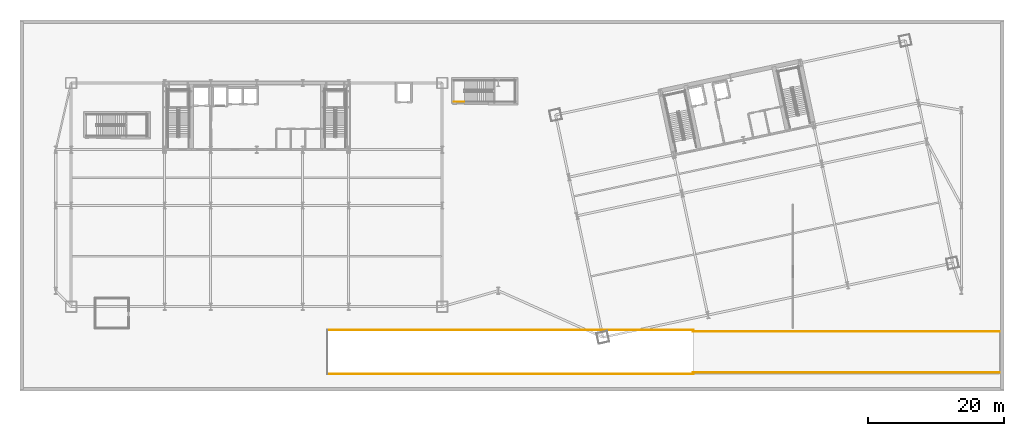
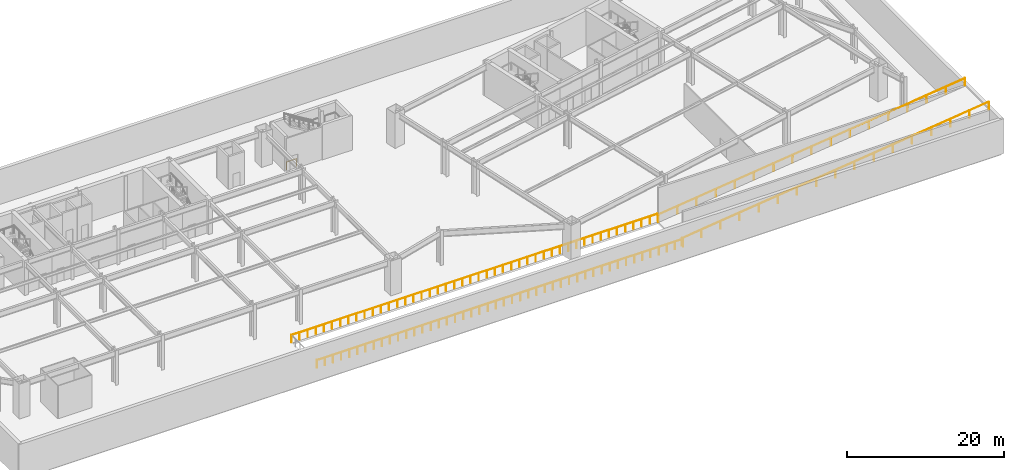
# One storey, part 14 of 16: 5 railings.
"""IFC4 building model written with IfcOpenShell, lengths in metres."""

from ifc_helpers import new_model, si_unit, direction, frame, origin, origin_2d, place, context, subcontext, project, spatial, rectangle, extrude, material, type_object, element, save


model = new_model("IFC4")

# Units and contexts
model_context = context("Model", 3, precision=1e-05, world=origin(), true_north=direction((0.0, 1.0)))
body_context = subcontext(model_context, "Body", "Model", "MODEL_VIEW")
ifc_project = project(units=[si_unit("LENGTHUNIT", "METRE"), si_unit("AREAUNIT", "SQUARE_METRE"), si_unit("VOLUMEUNIT", "CUBIC_METRE"), si_unit("PLANEANGLEUNIT", "RADIAN"), si_unit("MASSUNIT", "GRAM", prefix="KILO")], contexts=[model_context])

# Site, building, storey
site_placement = place(None, origin())
site = spatial("IfcSite", under=ifc_project, at=site_placement, CompositionType="ELEMENT")
building_placement = place(site_placement, origin())
building = spatial("IfcBuilding", under=site, at=building_placement, Name="Haevon Station Towers", CompositionType="ELEMENT")
storey_placement = place(building_placement, frame((0.0, 0.0, -5.39990234375)))
storey = spatial("IfcBuildingStorey", under=building, at=storey_placement, Name="B01", CompositionType="ELEMENT", Elevation=-5.39990234375)

# Railings
ifc_material = material(Name="Steel S355", Category="steel")
railing_type_1 = type_object("IfcRailingType", Name="BAL-ATR1200", PredefinedType="BALUSTRADE", material=ifc_material)
railing_1_placement = place(storey_placement, frame((47.8798828125, 11.719970703125, 0.0)))
element("IfcRailing", 1, at=railing_1_placement, inside=storey, type_object=railing_type_1, Name="B01 Vehicle Ramp North Guardrail", PredefinedType="BALUSTRADE", context=body_context, shape_type="SweptSolid", body=[
    extrude(rectangle(XDim=0.048095703125, YDim=0.048095703125, at=origin_2d()), frame((0.0, 0.0, 1.17578125), z_axis=(1.0, 0.0, 0.0), x_axis=(0.0, 1.0, 0.0)), (0.0, 0.0, 1.0), 53.77001953125),
    extrude(rectangle(XDim=0.0419921875, YDim=0.0419921875, at=origin_2d()), origin(), (0.0, 0.0, 1.0), 1.15185546875),
    extrude(rectangle(XDim=0.0419921875, YDim=0.0419921875, at=origin_2d()), frame((1.19482421875, 0.0, 0.0)), (0.0, 0.0, 1.0), 1.15185546875),
    extrude(rectangle(XDim=0.0419921875, YDim=0.0419921875, at=origin_2d()), frame((2.389892578125, 0.0, 0.0)), (0.0, 0.0, 1.0), 1.15185546875),
    extrude(rectangle(XDim=0.0419921875, YDim=0.0419921875, at=origin_2d()), frame((3.584716796875, 0.0, 0.0)), (0.0, 0.0, 1.0), 1.15185546875),
    extrude(rectangle(XDim=0.0419921875, YDim=0.0419921875, at=origin_2d()), frame((4.779541015625, 0.0, 0.0)), (0.0, 0.0, 1.0), 1.15185546875),
    extrude(rectangle(XDim=0.0419921875, YDim=0.0419921875, at=origin_2d()), frame((5.974365234375, 0.0, 0.0)), (0.0, 0.0, 1.0), 1.15185546875),
    extrude(rectangle(XDim=0.0419921875, YDim=0.0419921875, at=origin_2d()), frame((7.16943359375, 0.0, 0.0)), (0.0, 0.0, 1.0), 1.15185546875),
    extrude(rectangle(XDim=0.0419921875, YDim=0.0419921875, at=origin_2d()), frame((8.3642578125, 0.0, 0.0)), (0.0, 0.0, 1.0), 1.15185546875),
    extrude(rectangle(XDim=0.0419921875, YDim=0.0419921875, at=origin_2d()), frame((9.55908203125, 0.0, 0.0)), (0.0, 0.0, 1.0), 1.15185546875),
    extrude(rectangle(XDim=0.0419921875, YDim=0.0419921875, at=origin_2d()), frame((10.75390625, 0.0, 0.0)), (0.0, 0.0, 1.0), 1.15185546875),
    extrude(rectangle(XDim=0.0419921875, YDim=0.0419921875, at=origin_2d()), frame((11.948974609375, 0.0, 0.0)), (0.0, 0.0, 1.0), 1.15185546875),
    extrude(rectangle(XDim=0.0419921875, YDim=0.0419921875, at=origin_2d()), frame((13.143798828125, 0.0, 0.0)), (0.0, 0.0, 1.0), 1.15185546875),
    extrude(rectangle(XDim=0.0419921875, YDim=0.0419921875, at=origin_2d()), frame((14.338623046875, 0.0, 0.0)), (0.0, 0.0, 1.0), 1.15185546875),
    extrude(rectangle(XDim=0.0419921875, YDim=0.0419921875, at=origin_2d()), frame((15.533447265625, 0.0, 0.0)), (0.0, 0.0, 1.0), 1.15185546875),
    extrude(rectangle(XDim=0.0419921875, YDim=0.0419921875, at=origin_2d()), frame((16.728515625, 0.0, 0.0)), (0.0, 0.0, 1.0), 1.15185546875),
    extrude(rectangle(XDim=0.0419921875, YDim=0.0419921875, at=origin_2d()), frame((17.92333984375, 0.0, 0.0)), (0.0, 0.0, 1.0), 1.15185546875),
    extrude(rectangle(XDim=0.0419921875, YDim=0.0419921875, at=origin_2d()), frame((19.1181640625, 0.0, 0.0)), (0.0, 0.0, 1.0), 1.15185546875),
    extrude(rectangle(XDim=0.0419921875, YDim=0.0419921875, at=origin_2d()), frame((20.313232421875, 0.0, 0.0)), (0.0, 0.0, 1.0), 1.15185546875),
    extrude(rectangle(XDim=0.0419921875, YDim=0.0419921875, at=origin_2d()), frame((21.508056640625, 0.0, 0.0)), (0.0, 0.0, 1.0), 1.15185546875),
    extrude(rectangle(XDim=0.0419921875, YDim=0.0419921875, at=origin_2d()), frame((22.702880859375, 0.0, 0.0)), (0.0, 0.0, 1.0), 1.15185546875),
    extrude(rectangle(XDim=0.0419921875, YDim=0.0419921875, at=origin_2d()), frame((23.897705078125, 0.0, 0.0)), (0.0, 0.0, 1.0), 1.15185546875),
    extrude(rectangle(XDim=0.0419921875, YDim=0.0419921875, at=origin_2d()), frame((25.0927734375, 0.0, 0.0)), (0.0, 0.0, 1.0), 1.15185546875),
    extrude(rectangle(XDim=0.0419921875, YDim=0.0419921875, at=origin_2d()), frame((26.28759765625, 0.0, 0.0)), (0.0, 0.0, 1.0), 1.15185546875),
    extrude(rectangle(XDim=0.0419921875, YDim=0.0419921875, at=origin_2d()), frame((27.482421875, 0.0, 0.0)), (0.0, 0.0, 1.0), 1.15185546875),
    extrude(rectangle(XDim=0.0419921875, YDim=0.0419921875, at=origin_2d()), frame((28.67724609375, 0.0, 0.0)), (0.0, 0.0, 1.0), 1.15185546875),
    extrude(rectangle(XDim=0.0419921875, YDim=0.0419921875, at=origin_2d()), frame((29.872314453125, 0.0, 0.0)), (0.0, 0.0, 1.0), 1.15185546875),
    extrude(rectangle(XDim=0.0419921875, YDim=0.0419921875, at=origin_2d()), frame((31.067138671875, 0.0, 0.0)), (0.0, 0.0, 1.0), 1.15185546875),
    extrude(rectangle(XDim=0.0419921875, YDim=0.0419921875, at=origin_2d()), frame((32.261962890625, 0.0, 0.0)), (0.0, 0.0, 1.0), 1.15185546875),
    extrude(rectangle(XDim=0.0419921875, YDim=0.0419921875, at=origin_2d()), frame((33.456787109375, 0.0, 0.0)), (0.0, 0.0, 1.0), 1.15185546875),
    extrude(rectangle(XDim=0.0419921875, YDim=0.0419921875, at=origin_2d()), frame((34.65185546875, 0.0, 0.0)), (0.0, 0.0, 1.0), 1.15185546875),
    extrude(rectangle(XDim=0.0419921875, YDim=0.0419921875, at=origin_2d()), frame((35.8466796875, 0.0, 0.0)), (0.0, 0.0, 1.0), 1.15185546875),
    extrude(rectangle(XDim=0.0419921875, YDim=0.0419921875, at=origin_2d()), frame((37.04150390625, 0.0, 0.0)), (0.0, 0.0, 1.0), 1.15185546875),
    extrude(rectangle(XDim=0.0419921875, YDim=0.0419921875, at=origin_2d()), frame((38.236572265625, 0.0, 0.0)), (0.0, 0.0, 1.0), 1.15185546875),
    extrude(rectangle(XDim=0.0419921875, YDim=0.0419921875, at=origin_2d()), frame((39.431396484375, 0.0, 0.0)), (0.0, 0.0, 1.0), 1.15185546875),
    extrude(rectangle(XDim=0.0419921875, YDim=0.0419921875, at=origin_2d()), frame((40.626220703125, 0.0, 0.0)), (0.0, 0.0, 1.0), 1.15185546875),
    extrude(rectangle(XDim=0.0419921875, YDim=0.0419921875, at=origin_2d()), frame((41.821044921875, 0.0, 0.0)), (0.0, 0.0, 1.0), 1.15185546875),
    extrude(rectangle(XDim=0.0419921875, YDim=0.0419921875, at=origin_2d()), frame((43.01611328125, 0.0, 0.0)), (0.0, 0.0, 1.0), 1.15185546875),
    extrude(rectangle(XDim=0.0419921875, YDim=0.0419921875, at=origin_2d()), frame((44.2109375, 0.0, 0.0)), (0.0, 0.0, 1.0), 1.15185546875),
    extrude(rectangle(XDim=0.0419921875, YDim=0.0419921875, at=origin_2d()), frame((45.40576171875, 0.0, 0.0)), (0.0, 0.0, 1.0), 1.15185546875),
    extrude(rectangle(XDim=0.0419921875, YDim=0.0419921875, at=origin_2d()), frame((46.6005859375, 0.0, 0.0)), (0.0, 0.0, 1.0), 1.15185546875),
    extrude(rectangle(XDim=0.0419921875, YDim=0.0419921875, at=origin_2d()), frame((47.795654296875, 0.0, 0.0)), (0.0, 0.0, 1.0), 1.15185546875),
    extrude(rectangle(XDim=0.0419921875, YDim=0.0419921875, at=origin_2d()), frame((48.990478515625, 0.0, 0.0)), (0.0, 0.0, 1.0), 1.15185546875),
    extrude(rectangle(XDim=0.0419921875, YDim=0.0419921875, at=origin_2d()), frame((50.185302734375, 0.0, 0.0)), (0.0, 0.0, 1.0), 1.15185546875),
    extrude(rectangle(XDim=0.0419921875, YDim=0.0419921875, at=origin_2d()), frame((51.380126953125, 0.0, 0.0)), (0.0, 0.0, 1.0), 1.15185546875),
    extrude(rectangle(XDim=0.0419921875, YDim=0.0419921875, at=origin_2d()), frame((52.5751953125, 0.0, 0.0)), (0.0, 0.0, 1.0), 1.15185546875),
    extrude(rectangle(XDim=0.0419921875, YDim=0.0419921875, at=origin_2d()), frame((53.77001953125, 0.0, 0.0)), (0.0, 0.0, 1.0), 1.15185546875),
])
railing_2_placement = place(storey_placement, frame((47.8798828125, 5.280029296875, 0.0)))
element("IfcRailing", 2, at=railing_2_placement, inside=storey, type_object=railing_type_1, Name="B01 Vehicle Ramp South Guardrail", PredefinedType="BALUSTRADE", context=body_context, shape_type="SweptSolid", body=[
    extrude(rectangle(XDim=0.048095703125, YDim=0.048095703125, at=origin_2d()), frame((0.0, 0.0, 1.17578125), z_axis=(1.0, 0.0, 0.0), x_axis=(0.0, 1.0, 0.0)), (0.0, 0.0, 1.0), 53.77001953125),
    extrude(rectangle(XDim=0.0419921875, YDim=0.0419921875, at=origin_2d()), origin(), (0.0, 0.0, 1.0), 1.15185546875),
    extrude(rectangle(XDim=0.0419921875, YDim=0.0419921875, at=origin_2d()), frame((1.19482421875, 0.0, 0.0)), (0.0, 0.0, 1.0), 1.15185546875),
    extrude(rectangle(XDim=0.0419921875, YDim=0.0419921875, at=origin_2d()), frame((2.389892578125, 0.0, 0.0)), (0.0, 0.0, 1.0), 1.15185546875),
    extrude(rectangle(XDim=0.0419921875, YDim=0.0419921875, at=origin_2d()), frame((3.584716796875, 0.0, 0.0)), (0.0, 0.0, 1.0), 1.15185546875),
    extrude(rectangle(XDim=0.0419921875, YDim=0.0419921875, at=origin_2d()), frame((4.779541015625, 0.0, 0.0)), (0.0, 0.0, 1.0), 1.15185546875),
    extrude(rectangle(XDim=0.0419921875, YDim=0.0419921875, at=origin_2d()), frame((5.974365234375, 0.0, 0.0)), (0.0, 0.0, 1.0), 1.15185546875),
    extrude(rectangle(XDim=0.0419921875, YDim=0.0419921875, at=origin_2d()), frame((7.16943359375, 0.0, 0.0)), (0.0, 0.0, 1.0), 1.15185546875),
    extrude(rectangle(XDim=0.0419921875, YDim=0.0419921875, at=origin_2d()), frame((8.3642578125, 0.0, 0.0)), (0.0, 0.0, 1.0), 1.15185546875),
    extrude(rectangle(XDim=0.0419921875, YDim=0.0419921875, at=origin_2d()), frame((9.55908203125, 0.0, 0.0)), (0.0, 0.0, 1.0), 1.15185546875),
    extrude(rectangle(XDim=0.0419921875, YDim=0.0419921875, at=origin_2d()), frame((10.75390625, 0.0, 0.0)), (0.0, 0.0, 1.0), 1.15185546875),
    extrude(rectangle(XDim=0.0419921875, YDim=0.0419921875, at=origin_2d()), frame((11.948974609375, 0.0, 0.0)), (0.0, 0.0, 1.0), 1.15185546875),
    extrude(rectangle(XDim=0.0419921875, YDim=0.0419921875, at=origin_2d()), frame((13.143798828125, 0.0, 0.0)), (0.0, 0.0, 1.0), 1.15185546875),
    extrude(rectangle(XDim=0.0419921875, YDim=0.0419921875, at=origin_2d()), frame((14.338623046875, 0.0, 0.0)), (0.0, 0.0, 1.0), 1.15185546875),
    extrude(rectangle(XDim=0.0419921875, YDim=0.0419921875, at=origin_2d()), frame((15.533447265625, 0.0, 0.0)), (0.0, 0.0, 1.0), 1.15185546875),
    extrude(rectangle(XDim=0.0419921875, YDim=0.0419921875, at=origin_2d()), frame((16.728515625, 0.0, 0.0)), (0.0, 0.0, 1.0), 1.15185546875),
    extrude(rectangle(XDim=0.0419921875, YDim=0.0419921875, at=origin_2d()), frame((17.92333984375, 0.0, 0.0)), (0.0, 0.0, 1.0), 1.15185546875),
    extrude(rectangle(XDim=0.0419921875, YDim=0.0419921875, at=origin_2d()), frame((19.1181640625, 0.0, 0.0)), (0.0, 0.0, 1.0), 1.15185546875),
    extrude(rectangle(XDim=0.0419921875, YDim=0.0419921875, at=origin_2d()), frame((20.313232421875, 0.0, 0.0)), (0.0, 0.0, 1.0), 1.15185546875),
    extrude(rectangle(XDim=0.0419921875, YDim=0.0419921875, at=origin_2d()), frame((21.508056640625, 0.0, 0.0)), (0.0, 0.0, 1.0), 1.15185546875),
    extrude(rectangle(XDim=0.0419921875, YDim=0.0419921875, at=origin_2d()), frame((22.702880859375, 0.0, 0.0)), (0.0, 0.0, 1.0), 1.15185546875),
    extrude(rectangle(XDim=0.0419921875, YDim=0.0419921875, at=origin_2d()), frame((23.897705078125, 0.0, 0.0)), (0.0, 0.0, 1.0), 1.15185546875),
    extrude(rectangle(XDim=0.0419921875, YDim=0.0419921875, at=origin_2d()), frame((25.0927734375, 0.0, 0.0)), (0.0, 0.0, 1.0), 1.15185546875),
    extrude(rectangle(XDim=0.0419921875, YDim=0.0419921875, at=origin_2d()), frame((26.28759765625, 0.0, 0.0)), (0.0, 0.0, 1.0), 1.15185546875),
    extrude(rectangle(XDim=0.0419921875, YDim=0.0419921875, at=origin_2d()), frame((27.482421875, 0.0, 0.0)), (0.0, 0.0, 1.0), 1.15185546875),
    extrude(rectangle(XDim=0.0419921875, YDim=0.0419921875, at=origin_2d()), frame((28.67724609375, 0.0, 0.0)), (0.0, 0.0, 1.0), 1.15185546875),
    extrude(rectangle(XDim=0.0419921875, YDim=0.0419921875, at=origin_2d()), frame((29.872314453125, 0.0, 0.0)), (0.0, 0.0, 1.0), 1.15185546875),
    extrude(rectangle(XDim=0.0419921875, YDim=0.0419921875, at=origin_2d()), frame((31.067138671875, 0.0, 0.0)), (0.0, 0.0, 1.0), 1.15185546875),
    extrude(rectangle(XDim=0.0419921875, YDim=0.0419921875, at=origin_2d()), frame((32.261962890625, 0.0, 0.0)), (0.0, 0.0, 1.0), 1.15185546875),
    extrude(rectangle(XDim=0.0419921875, YDim=0.0419921875, at=origin_2d()), frame((33.456787109375, 0.0, 0.0)), (0.0, 0.0, 1.0), 1.15185546875),
    extrude(rectangle(XDim=0.0419921875, YDim=0.0419921875, at=origin_2d()), frame((34.65185546875, 0.0, 0.0)), (0.0, 0.0, 1.0), 1.15185546875),
    extrude(rectangle(XDim=0.0419921875, YDim=0.0419921875, at=origin_2d()), frame((35.8466796875, 0.0, 0.0)), (0.0, 0.0, 1.0), 1.15185546875),
    extrude(rectangle(XDim=0.0419921875, YDim=0.0419921875, at=origin_2d()), frame((37.04150390625, 0.0, 0.0)), (0.0, 0.0, 1.0), 1.15185546875),
    extrude(rectangle(XDim=0.0419921875, YDim=0.0419921875, at=origin_2d()), frame((38.236572265625, 0.0, 0.0)), (0.0, 0.0, 1.0), 1.15185546875),
    extrude(rectangle(XDim=0.0419921875, YDim=0.0419921875, at=origin_2d()), frame((39.431396484375, 0.0, 0.0)), (0.0, 0.0, 1.0), 1.15185546875),
    extrude(rectangle(XDim=0.0419921875, YDim=0.0419921875, at=origin_2d()), frame((40.626220703125, 0.0, 0.0)), (0.0, 0.0, 1.0), 1.15185546875),
    extrude(rectangle(XDim=0.0419921875, YDim=0.0419921875, at=origin_2d()), frame((41.821044921875, 0.0, 0.0)), (0.0, 0.0, 1.0), 1.15185546875),
    extrude(rectangle(XDim=0.0419921875, YDim=0.0419921875, at=origin_2d()), frame((43.01611328125, 0.0, 0.0)), (0.0, 0.0, 1.0), 1.15185546875),
    extrude(rectangle(XDim=0.0419921875, YDim=0.0419921875, at=origin_2d()), frame((44.2109375, 0.0, 0.0)), (0.0, 0.0, 1.0), 1.15185546875),
    extrude(rectangle(XDim=0.0419921875, YDim=0.0419921875, at=origin_2d()), frame((45.40576171875, 0.0, 0.0)), (0.0, 0.0, 1.0), 1.15185546875),
    extrude(rectangle(XDim=0.0419921875, YDim=0.0419921875, at=origin_2d()), frame((46.6005859375, 0.0, 0.0)), (0.0, 0.0, 1.0), 1.15185546875),
    extrude(rectangle(XDim=0.0419921875, YDim=0.0419921875, at=origin_2d()), frame((47.795654296875, 0.0, 0.0)), (0.0, 0.0, 1.0), 1.15185546875),
    extrude(rectangle(XDim=0.0419921875, YDim=0.0419921875, at=origin_2d()), frame((48.990478515625, 0.0, 0.0)), (0.0, 0.0, 1.0), 1.15185546875),
    extrude(rectangle(XDim=0.0419921875, YDim=0.0419921875, at=origin_2d()), frame((50.185302734375, 0.0, 0.0)), (0.0, 0.0, 1.0), 1.15185546875),
    extrude(rectangle(XDim=0.0419921875, YDim=0.0419921875, at=origin_2d()), frame((51.380126953125, 0.0, 0.0)), (0.0, 0.0, 1.0), 1.15185546875),
    extrude(rectangle(XDim=0.0419921875, YDim=0.0419921875, at=origin_2d()), frame((52.5751953125, 0.0, 0.0)), (0.0, 0.0, 1.0), 1.15185546875),
    extrude(rectangle(XDim=0.0419921875, YDim=0.0419921875, at=origin_2d()), frame((53.77001953125, 0.0, 0.0)), (0.0, 0.0, 1.0), 1.15185546875),
])
railing_3_placement = place(storey_placement, frame((101.60009765625, 5.47998046875, 0.0)))
element("IfcRailing", 3, at=railing_3_placement, inside=storey, type_object=railing_type_1, Name="B01 Vehicle Ramp Flight 2 S Guardrail", PredefinedType="BALUSTRADE", context=body_context, shape_type="SweptSolid", body=[
    extrude(rectangle(XDim=0.048095703125, YDim=0.048095703125, at=origin_2d()), frame((0.0, 0.0, 1.17578125), z_axis=(0.992877093376, 0.0, 0.119143096524), x_axis=(0.0, 1.0, 0.0)), (0.0, 0.0, 1.0), 45.32275390625),
    extrude(rectangle(XDim=0.0419921875, YDim=0.0419921875, at=origin_2d()), origin(), (0.0, 0.0, 1.0), 1.15185546875),
    extrude(rectangle(XDim=0.0419921875, YDim=0.0419921875, at=origin_2d()), frame((2.8125, 0.0, 0.33740234375)), (0.0, 0.0, 1.0), 1.15185546875),
    extrude(rectangle(XDim=0.0419921875, YDim=0.0419921875, at=origin_2d()), frame((5.625, 0.0, 0.675048828125)), (0.0, 0.0, 1.0), 1.15185546875),
    extrude(rectangle(XDim=0.0419921875, YDim=0.0419921875, at=origin_2d()), frame((8.4375, 0.0, 1.012451171875)), (0.0, 0.0, 1.0), 1.15185546875),
    extrude(rectangle(XDim=0.0419921875, YDim=0.0419921875, at=origin_2d()), frame((11.25, 0.0, 1.35009765625)), (0.0, 0.0, 1.0), 1.15185546875),
    extrude(rectangle(XDim=0.0419921875, YDim=0.0419921875, at=origin_2d()), frame((14.0625, 0.0, 1.6875)), (0.0, 0.0, 1.0), 1.15185546875),
    extrude(rectangle(XDim=0.0419921875, YDim=0.0419921875, at=origin_2d()), frame((16.875, 0.0, 2.02490234375)), (0.0, 0.0, 1.0), 1.15185546875),
    extrude(rectangle(XDim=0.0419921875, YDim=0.0419921875, at=origin_2d()), frame((19.6875, 0.0, 2.362548828125)), (0.0, 0.0, 1.0), 1.15185546875),
    extrude(rectangle(XDim=0.0419921875, YDim=0.0419921875, at=origin_2d()), frame((22.5, 0.0, 2.699951171875)), (0.0, 0.0, 1.0), 1.15185546875),
    extrude(rectangle(XDim=0.0419921875, YDim=0.0419921875, at=origin_2d()), frame((25.3125, 0.0, 3.037353515625)), (0.0, 0.0, 1.0), 1.15185546875),
    extrude(rectangle(XDim=0.0419921875, YDim=0.0419921875, at=origin_2d()), frame((28.125, 0.0, 3.375)), (0.0, 0.0, 1.0), 1.15185546875),
    extrude(rectangle(XDim=0.0419921875, YDim=0.0419921875, at=origin_2d()), frame((30.9375, 0.0, 3.71240234375)), (0.0, 0.0, 1.0), 1.15185546875),
    extrude(rectangle(XDim=0.0419921875, YDim=0.0419921875, at=origin_2d()), frame((33.75, 0.0, 4.0498046875)), (0.0, 0.0, 1.0), 1.15185546875),
    extrude(rectangle(XDim=0.0419921875, YDim=0.0419921875, at=origin_2d()), frame((36.5625, 0.0, 4.387451171875)), (0.0, 0.0, 1.0), 1.15185546875),
    extrude(rectangle(XDim=0.0419921875, YDim=0.0419921875, at=origin_2d()), frame((39.375, 0.0, 4.724853515625)), (0.0, 0.0, 1.0), 1.15185546875),
    extrude(rectangle(XDim=0.0419921875, YDim=0.0419921875, at=origin_2d()), frame((42.1875, 0.0, 5.0625)), (0.0, 0.0, 1.0), 1.15185546875),
    extrude(rectangle(XDim=0.0419921875, YDim=0.0419921875, at=origin_2d()), frame((45.0, 0.0, 5.39990234375)), (0.0, 0.0, 1.0), 1.15185546875),
])
railing_4_placement = place(storey_placement, frame((101.60009765625, 11.52001953125, 0.0)))
element("IfcRailing", 4, at=railing_4_placement, inside=storey, type_object=railing_type_1, Name="B01 Vehicle Ramp Flight 2 N Guardrail", PredefinedType="BALUSTRADE", context=body_context, shape_type="SweptSolid", body=[
    extrude(rectangle(XDim=0.048095703125, YDim=0.048095703125, at=origin_2d()), frame((0.0, 0.0, 1.17578125), z_axis=(0.992877093376, 0.0, 0.119143096524), x_axis=(0.0, 1.0, 0.0)), (0.0, 0.0, 1.0), 45.32275390625),
    extrude(rectangle(XDim=0.0419921875, YDim=0.0419921875, at=origin_2d()), origin(), (0.0, 0.0, 1.0), 1.15185546875),
    extrude(rectangle(XDim=0.0419921875, YDim=0.0419921875, at=origin_2d()), frame((2.8125, 0.0, 0.33740234375)), (0.0, 0.0, 1.0), 1.15185546875),
    extrude(rectangle(XDim=0.0419921875, YDim=0.0419921875, at=origin_2d()), frame((5.625, 0.0, 0.675048828125)), (0.0, 0.0, 1.0), 1.15185546875),
    extrude(rectangle(XDim=0.0419921875, YDim=0.0419921875, at=origin_2d()), frame((8.4375, 0.0, 1.012451171875)), (0.0, 0.0, 1.0), 1.15185546875),
    extrude(rectangle(XDim=0.0419921875, YDim=0.0419921875, at=origin_2d()), frame((11.25, 0.0, 1.35009765625)), (0.0, 0.0, 1.0), 1.15185546875),
    extrude(rectangle(XDim=0.0419921875, YDim=0.0419921875, at=origin_2d()), frame((14.0625, 0.0, 1.6875)), (0.0, 0.0, 1.0), 1.15185546875),
    extrude(rectangle(XDim=0.0419921875, YDim=0.0419921875, at=origin_2d()), frame((16.875, 0.0, 2.02490234375)), (0.0, 0.0, 1.0), 1.15185546875),
    extrude(rectangle(XDim=0.0419921875, YDim=0.0419921875, at=origin_2d()), frame((19.6875, 0.0, 2.362548828125)), (0.0, 0.0, 1.0), 1.15185546875),
    extrude(rectangle(XDim=0.0419921875, YDim=0.0419921875, at=origin_2d()), frame((22.5, 0.0, 2.699951171875)), (0.0, 0.0, 1.0), 1.15185546875),
    extrude(rectangle(XDim=0.0419921875, YDim=0.0419921875, at=origin_2d()), frame((25.3125, 0.0, 3.037353515625)), (0.0, 0.0, 1.0), 1.15185546875),
    extrude(rectangle(XDim=0.0419921875, YDim=0.0419921875, at=origin_2d()), frame((28.125, 0.0, 3.375)), (0.0, 0.0, 1.0), 1.15185546875),
    extrude(rectangle(XDim=0.0419921875, YDim=0.0419921875, at=origin_2d()), frame((30.9375, 0.0, 3.71240234375)), (0.0, 0.0, 1.0), 1.15185546875),
    extrude(rectangle(XDim=0.0419921875, YDim=0.0419921875, at=origin_2d()), frame((33.75, 0.0, 4.0498046875)), (0.0, 0.0, 1.0), 1.15185546875),
    extrude(rectangle(XDim=0.0419921875, YDim=0.0419921875, at=origin_2d()), frame((36.5625, 0.0, 4.387451171875)), (0.0, 0.0, 1.0), 1.15185546875),
    extrude(rectangle(XDim=0.0419921875, YDim=0.0419921875, at=origin_2d()), frame((39.375, 0.0, 4.724853515625)), (0.0, 0.0, 1.0), 1.15185546875),
    extrude(rectangle(XDim=0.0419921875, YDim=0.0419921875, at=origin_2d()), frame((42.1875, 0.0, 5.0625)), (0.0, 0.0, 1.0), 1.15185546875),
    extrude(rectangle(XDim=0.0419921875, YDim=0.0419921875, at=origin_2d()), frame((45.0, 0.0, 5.39990234375)), (0.0, 0.0, 1.0), 1.15185546875),
])
railing_type_2 = type_object("IfcRailingType", Name="GRD-STR1200", PredefinedType="GUARDRAIL", material=ifc_material)
railing_5_placement = place(storey_placement, frame((66.5, 45.25, 0.0)))
element("IfcRailing", 5, at=railing_5_placement, inside=storey, type_object=railing_type_2, Name="B01 ST6 Stair Guard 8", PredefinedType="GUARDRAIL", context=body_context, shape_type="SweptSolid", body=[
    extrude(rectangle(XDim=0.048095703125, YDim=0.048095703125, at=origin_2d()), frame((0.0, 0.0, 1.17578125), z_axis=(1.0, 0.0, 0.0), x_axis=(0.0, 1.0, 0.0)), (0.0, 0.0, 1.0), 1.5),
    extrude(rectangle(XDim=0.0419921875, YDim=0.0419921875, at=origin_2d()), origin(), (0.0, 0.0, 1.0), 1.15185546875),
    extrude(rectangle(XDim=0.0419921875, YDim=0.0419921875, at=origin_2d()), frame((1.5, 0.0, 0.0)), (0.0, 0.0, 1.0), 1.15185546875),
])

save(model, "model.ifc")
